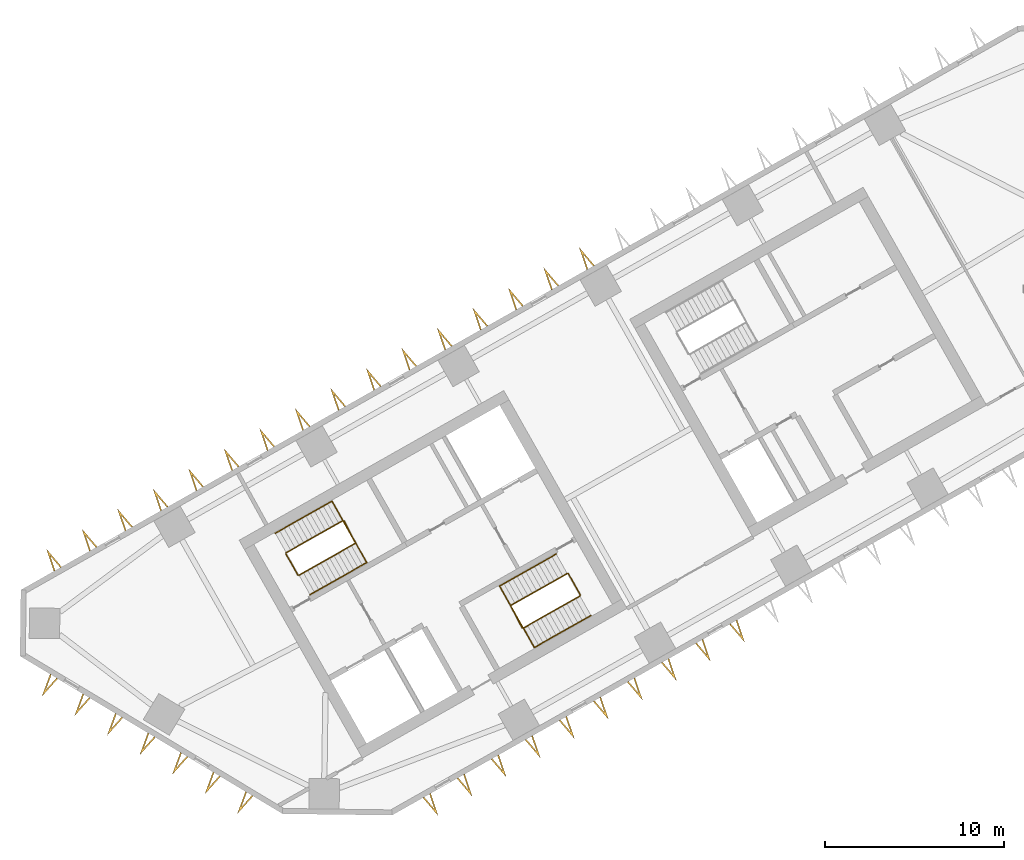
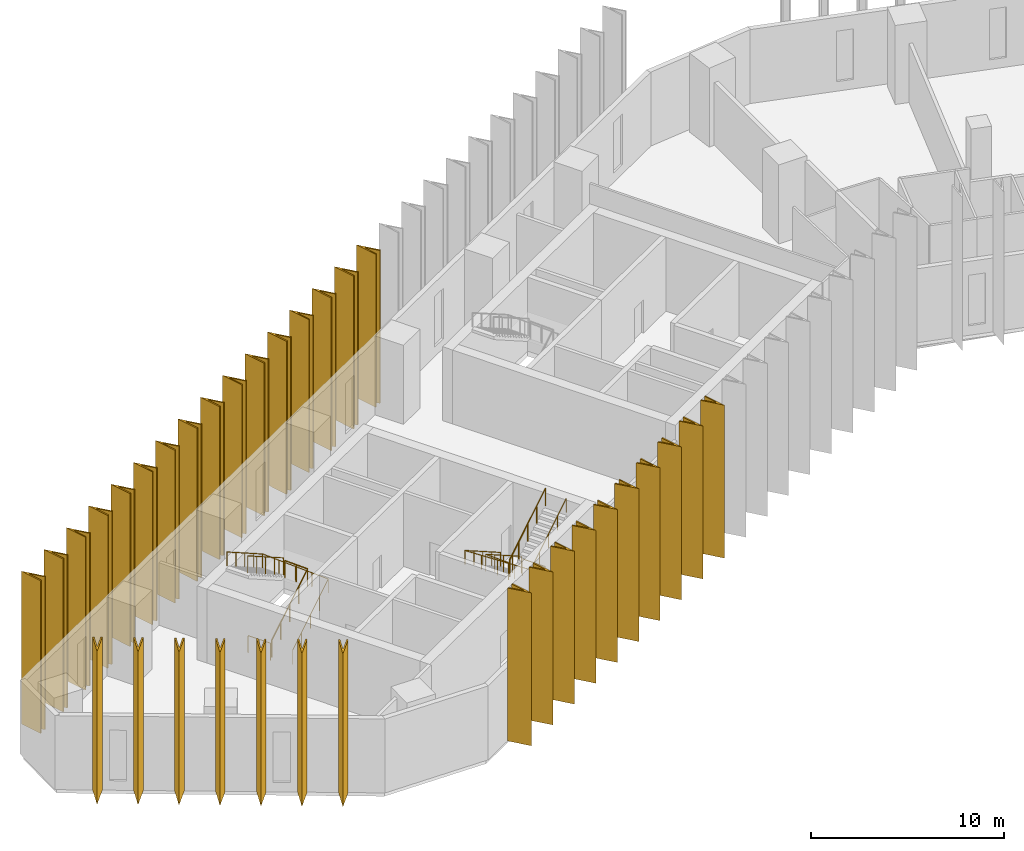
# One storey, part 9 of 11: 33 shading devices, 8 railings.
"""IFC4 building model written with IfcOpenShell, lengths in metres."""

import ifcopenshell
import ifcopenshell.guid

model = None  # the IFC model being written
_history = None  # IfcOwnerHistory: only IFC2X3 demands one
_inside = {}  # id of a spatial element -> (the spatial element, [elements in it])
_under = {}  # id of a project, library or spatial element -> (it, [spatial elements below it])
_declared = {}  # id of a project -> (the project, [libraries it declares])
_typed = {}  # id of a type object -> (the type object, [elements of that type])
_made_of = {}  # id of a material, layer set ... -> (it, [elements and type objects made of it])


def new_model(schema):
    """Start an empty IFC model of exactly this schema.

    Asked for "IFC4X3", IfcOpenShell would pick the latest addendum, in which some entities
    have other attributes; the version numbers below select the first issue.
    IFC2X3 requires an IfcOwnerHistory on every rooted entity: one is made here for all.
    """
    global model, _history
    if schema == "IFC4X3":
        model = ifcopenshell.file(schema_version=(4, 3, 0, 0))
    else:
        model = ifcopenshell.file(schema=schema)
    _inside.clear()
    _under.clear()
    _declared.clear()
    _typed.clear()
    _made_of.clear()
    _history = None
    if model.schema == "IFC2X3":
        org = make("IfcOrganization", Name="unknown")
        user = make(
            "IfcPersonAndOrganization",
            ThePerson=make("IfcPerson", FamilyName="unknown"),
            TheOrganization=org,
        )
        app = make(
            "IfcApplication",
            ApplicationDeveloper=org,
            Version="unknown",
            ApplicationFullName="unknown",
            ApplicationIdentifier="unknown",
        )
        _history = make(
            "IfcOwnerHistory",
            OwningUser=user,
            OwningApplication=app,
            ChangeAction="ADDED",
            CreationDate=0,
        )
    return model


def make(cls, **values):
    """One entity of the class cls with the attributes given. An attribute that is None is left unset."""
    return model.create_entity(
        cls, **{name: value for name, value in values.items() if value is not None}
    )


def rooted(cls, **values):
    """An entity with a GlobalId (a new one), such as an element, a storey or a relation."""
    return make(cls, GlobalId=ifcopenshell.guid.new(), OwnerHistory=_history, **values)


def si_unit(unit_type, name, prefix=None):
    """IfcSIUnit, for example si_unit("LENGTHUNIT", "METRE", prefix="MILLI")."""
    return make("IfcSIUnit", UnitType=unit_type, Prefix=prefix, Name=name)


def assignment(units):
    """IfcUnitAssignment: the units of a project."""
    return None if units is None else make("IfcUnitAssignment", Units=units)


def point(xyz):
    """IfcCartesianPoint."""
    return None if xyz is None else make("IfcCartesianPoint", Coordinates=xyz)


def direction(xyz):
    """IfcDirection."""
    return None if xyz is None else make("IfcDirection", DirectionRatios=xyz)


def frame(location, z_axis=None, x_axis=None):
    """IfcAxis2Placement3D, a coordinate frame: its origin and axes. An axis left out is left unset."""
    return make(
        "IfcAxis2Placement3D",
        Location=point(location),
        Axis=direction(z_axis),
        RefDirection=direction(x_axis),
    )


def frame_2d(location, x_axis=None):
    """IfcAxis2Placement2D, a coordinate frame in the plane: its origin and x axis."""
    return make(
        "IfcAxis2Placement2D", Location=point(location), RefDirection=direction(x_axis)
    )


def origin():
    """The frame at (0, 0, 0) with its axes left unset."""
    return frame((0.0, 0.0, 0.0))


def origin_2d():
    """The frame at (0, 0) in the plane with its x axis left unset."""
    return frame_2d((0.0, 0.0))


def place(relative_to, where):
    """IfcLocalPlacement: puts the frame where relative to a parent placement (None: the world)."""
    return make(
        "IfcLocalPlacement", PlacementRelTo=relative_to, RelativePlacement=where
    )


def context(
    kind, dimensions, precision=None, world=None, true_north=None, identifier=None
):
    """IfcGeometricRepresentationContext, for example the 3D "Model" context."""
    return make(
        "IfcGeometricRepresentationContext",
        ContextIdentifier=identifier,
        ContextType=kind,
        CoordinateSpaceDimension=dimensions,
        Precision=precision,
        WorldCoordinateSystem=world,
        TrueNorth=true_north,
    )


def subcontext(parent, identifier, kind, view, scale=None):
    """IfcGeometricRepresentationSubContext, for example "Body" below "Model"."""
    return make(
        "IfcGeometricRepresentationSubContext",
        ContextIdentifier=identifier,
        ContextType=kind,
        ParentContext=parent,
        TargetScale=scale,
        TargetView=view,
    )


def project(units=None, contexts=None):
    """IfcProject with its units and contexts."""
    return rooted(
        "IfcProject",
        Name="project",
        RepresentationContexts=contexts,
        UnitsInContext=assignment(units),
    )


def spatial(cls, under=None, at=None, **own):
    """A site, building, storey or space (cls), placed at a placement, below another one or the project."""
    s = rooted(cls, ObjectPlacement=at, **own)
    if under is not None:
        _under.setdefault(under.id(), (under, []))[1].append(s)
    return s


def polyline(points):
    """IfcPolyline through the points."""
    return make("IfcPolyline", Points=[point(p) for p in points])


def profile(cls, at=None, kind="AREA", **sizes):
    """A parametric profile (cls). Its sizes go by their IFC names, for example OverallWidth=200.0."""
    return make(cls, ProfileType=kind, Position=at, **sizes)


def circle(**sizes):
    """IfcCircleProfileDef."""
    return profile("IfcCircleProfileDef", **sizes)


def outline(outer, holes=None, kind="AREA"):
    """IfcArbitraryClosedProfileDef: a profile drawn as a closed curve; with holes, ...WithVoids."""
    if holes is None:
        return make("IfcArbitraryClosedProfileDef", ProfileType=kind, OuterCurve=outer)
    return make(
        "IfcArbitraryProfileDefWithVoids",
        ProfileType=kind,
        OuterCurve=outer,
        InnerCurves=holes,
    )


def extrude(swept, where, along, depth):
    """IfcExtrudedAreaSolid: the profile swept, set in the frame where, extruded along a direction by depth."""
    return make(
        "IfcExtrudedAreaSolid",
        SweptArea=swept,
        Position=where,
        ExtrudedDirection=direction(along),
        Depth=depth,
    )


def shape(context_of_items, identifier, shape_type, items):
    """IfcShapeRepresentation: the items that make up one representation, for example the "Body"."""
    return make(
        "IfcShapeRepresentation",
        ContextOfItems=context_of_items,
        RepresentationIdentifier=identifier,
        RepresentationType=shape_type,
        Items=items,
    )


def material(Name=None, Category=None):
    """IfcMaterial."""
    return make("IfcMaterial", Name=Name, Category=Category)


def made_of(thing, what):
    """Note that an element or type object is made of a material, layer set ...; save() writes the relation."""
    if what is not None:
        _made_of.setdefault(what.id(), (what, []))[1].append(thing)
    return thing


def type_object(cls, material=None, **own):
    """A type object (cls), such as IfcWallType, which elements share."""
    return made_of(rooted(cls, **own), material)


def element(
    cls,
    number,
    at=None,
    inside=None,
    cuts=None,
    type_object=None,
    material=None,
    context=None,
    identifier="Body",
    shape_type=None,
    held_by="IfcProductDefinitionShape",
    body=None,
    shapes=None,
    **own,
):
    """One element of the class cls, such as IfcWall. Its Tag is "e" and its number.

    at: its placement. inside: the storey or other place that contains it. cuts: it is an
    opening in that element (IfcRelVoidsElement). A single representation is given by context,
    identifier, shape_type and body (its items); several are given by shapes. held_by: the class
    of the entity that holds the representations. save() writes the other relations.
    """
    e = rooted(cls, Tag="e%d" % number, ObjectPlacement=at, **own)
    if body is not None:
        shapes = [shape(context, identifier, shape_type, body)]
    if shapes is not None:
        e.Representation = make(held_by, Representations=shapes)
    if inside is not None:
        _inside.setdefault(inside.id(), (inside, []))[1].append(e)
    if cuts is not None:
        rooted(
            "IfcRelVoidsElement", RelatingBuildingElement=cuts, RelatedOpeningElement=e
        )
    if type_object is not None:
        _typed.setdefault(type_object.id(), (type_object, []))[1].append(e)
    return made_of(e, material)


def aggregate(whole, parts):
    """IfcRelAggregates: a whole, such as a stair, and the parts it consists of."""
    return rooted("IfcRelAggregates", RelatingObject=whole, RelatedObjects=parts)


def save(model, path):
    """Write the relations noted so far, then the file.

    IfcRelAggregates (storeys below a building ...), IfcRelContainedInSpatialStructure (elements
    in a storey), IfcRelDefinesByType, IfcRelAssociatesMaterial and IfcRelDeclares: one each for
    every whole, place, type object, material and project.
    """
    for whole, parts in _under.values():
        aggregate(whole, parts)
    for where, things in _inside.values():
        rooted(
            "IfcRelContainedInSpatialStructure",
            RelatedElements=things,
            RelatingStructure=where,
        )
    for kind, things in _typed.values():
        rooted("IfcRelDefinesByType", RelatedObjects=things, RelatingType=kind)
    for what, things in _made_of.values():
        rooted("IfcRelAssociatesMaterial", RelatedObjects=things, RelatingMaterial=what)
    for by, libraries in _declared.values():
        rooted("IfcRelDeclares", RelatingContext=by, RelatedDefinitions=libraries)
    model.write(path)


model = new_model("IFC4")

# Units and contexts
model_context = context("Model", 3, precision=1e-05, world=origin(), true_north=direction((0.0, 1.0)))
body_context = subcontext(model_context, "Body", "Model", "MODEL_VIEW")
ifc_project = project(units=[si_unit("LENGTHUNIT", "METRE"), si_unit("AREAUNIT", "SQUARE_METRE"), si_unit("VOLUMEUNIT", "CUBIC_METRE"), si_unit("PLANEANGLEUNIT", "RADIAN"), si_unit("MASSUNIT", "GRAM", prefix="KILO")], contexts=[model_context])

# Site, building, storey
site_placement = place(None, origin())
site = spatial("IfcSite", under=ifc_project, at=site_placement, CompositionType="ELEMENT")
building_placement = place(site_placement, origin())
building = spatial("IfcBuilding", under=site, at=building_placement, Name="Binnacle Exchange Tower", CompositionType="ELEMENT")
storey_placement = place(building_placement, frame((0.0, 0.0, 46.5)))
storey = spatial("IfcBuildingStorey", under=building, at=storey_placement, Name="L09", CompositionType="ELEMENT", Elevation=46.5)

# Railings
ifc_material_1 = material(Name="Steel guard rail", Category="steel")
railing_type_1 = type_object("IfcRailingType", Name="STAIR GUARD 1100", PredefinedType="GUARDRAIL", material=ifc_material_1)
railing_1_placement = place(storey_placement, frame((-43.26171875, 39.71728515625, 0.178466796875)))
element("IfcRailing", 1, at=railing_1_placement, inside=storey, type_object=railing_type_1, Name="L09 STA1 stair guard 1", PredefinedType="GUARDRAIL", context=body_context, shape_type="SweptSolid", body=[
    extrude(circle(Radius=0.02392578125, at=origin_2d()), frame((0.0, 0.0, 1.076171875), z_axis=(0.733795554141, 0.415191658331, 0.537735968274), x_axis=(-0.492450612189, 0.870340390052, 0.0)), (0.0, 0.0, 1.0), 4.317138671875),
    extrude(circle(Radius=0.02392578125, at=origin_2d()), frame((3.16796875, 1.79248046875, 3.3974609375), z_axis=(-0.460963092712, 0.887419307406, 0.0), x_axis=(-0.887419307406, -0.460963092712, 0.0)), (0.0, 0.0, 1.0), 1.40087890625),
    extrude(circle(Radius=0.02099609375, at=origin_2d()), origin(), (0.0, 0.0, 1.0), 1.052001953125),
    extrude(circle(Radius=0.02099609375, at=origin_2d()), frame((0.7919921875, 0.4482421875, 0.580322265625)), (0.0, 0.0, 1.0), 1.052001953125),
    extrude(circle(Radius=0.02099609375, at=origin_2d()), frame((1.583984375, 0.896240234375, 1.16064453125)), (0.0, 0.0, 1.0), 1.052001953125),
    extrude(circle(Radius=0.02099609375, at=origin_2d()), frame((2.3759765625, 1.34423828125, 1.7412109375)), (0.0, 0.0, 1.0), 1.052001953125),
    extrude(circle(Radius=0.02099609375, at=origin_2d()), frame((3.16796875, 1.79248046875, 2.321533203125)), (0.0, 0.0, 1.0), 1.052001953125),
    extrude(circle(Radius=0.02099609375, at=origin_2d()), frame((2.84521484375, 2.4140625, 2.321533203125)), (0.0, 0.0, 1.0), 1.052001953125),
    extrude(circle(Radius=0.02099609375, at=origin_2d()), frame((2.522216796875, 3.03564453125, 2.321533203125)), (0.0, 0.0, 1.0), 1.052001953125),
])
railing_2_placement = place(storey_placement, frame((-40.8076171875, 42.771728515625, 2.678466796875)))
element("IfcRailing", 2, at=railing_2_placement, inside=storey, type_object=railing_type_1, Name="L09 STA1 stair guard 2", PredefinedType="GUARDRAIL", context=body_context, shape_type="SweptSolid", body=[
    extrude(circle(Radius=0.02392578125, at=origin_2d()), frame((0.0, 0.0, 1.076171875), z_axis=(-0.733821652932, -0.415174429824, 0.537713654753), x_axis=(0.492421866095, -0.870356654361, 0.0)), (0.0, 0.0, 1.0), 4.3173828125),
    extrude(circle(Radius=0.02099609375, at=origin_2d()), origin(), (0.0, 0.0, 1.0), 1.052001953125),
    extrude(circle(Radius=0.02099609375, at=origin_2d()), frame((-0.7919921875, -0.4482421875, 0.580322265625)), (0.0, 0.0, 1.0), 1.052001953125),
    extrude(circle(Radius=0.02099609375, at=origin_2d()), frame((-1.583984375, -0.896240234375, 1.16064453125)), (0.0, 0.0, 1.0), 1.052001953125),
    extrude(circle(Radius=0.02099609375, at=origin_2d()), frame((-2.376220703125, -1.34423828125, 1.7412109375)), (0.0, 0.0, 1.0), 1.052001953125),
    extrude(circle(Radius=0.02099609375, at=origin_2d()), frame((-3.168212890625, -1.79248046875, 2.321533203125)), (0.0, 0.0, 1.0), 1.052001953125),
])
railing_3_placement = place(storey_placement, frame((-43.329833984375, 39.736328125, 0.0)))
element("IfcRailing", 3, at=railing_3_placement, inside=storey, type_object=railing_type_1, Name="L09 STA1 stair guard 3", PredefinedType="GUARDRAIL", context=body_context, shape_type="SweptSolid", body=[
    extrude(circle(Radius=0.02392578125, at=origin_2d()), frame((0.0, 0.0, 1.076171875), z_axis=(-0.4924922531, 0.870316827734, 0.0), x_axis=(-0.870316827734, -0.4924922531, 0.0)), (0.0, 0.0, 1.0), 1.349853515625),
    extrude(circle(Radius=0.02099609375, at=origin_2d()), origin(), (0.0, 0.0, 1.0), 1.052001953125),
    extrude(circle(Radius=0.02099609375, at=origin_2d()), frame((-0.33251953125, 0.58740234375, 0.0)), (0.0, 0.0, 1.0), 1.052001953125),
    extrude(circle(Radius=0.02099609375, at=origin_2d()), frame((-0.664794921875, 1.1748046875, 0.0)), (0.0, 0.0, 1.0), 1.052001953125),
])
railing_4_placement = place(storey_placement, frame((-28.265380859375, 39.814453125, 0.178466796875)))
element("IfcRailing", 4, at=railing_4_placement, inside=storey, type_object=railing_type_1, Name="L09 STA2 stair guard 1", PredefinedType="GUARDRAIL", context=body_context, shape_type="SweptSolid", body=[
    extrude(circle(Radius=0.02392578125, at=origin_2d()), frame((0.0, 0.0, 1.076171875), z_axis=(-0.733821652932, -0.415174429824, 0.537713654753), x_axis=(0.492421866095, -0.870356654361, 0.0)), (0.0, 0.0, 1.0), 4.3173828125),
    extrude(circle(Radius=0.02392578125, at=origin_2d()), frame((-3.168212890625, -1.79248046875, 3.3974609375), z_axis=(0.461100321709, -0.887348011391, 0.0), x_axis=(0.887348011391, 0.461100321709, 0.0)), (0.0, 0.0, 1.0), 1.40087890625),
    extrude(circle(Radius=0.02099609375, at=origin_2d()), origin(), (0.0, 0.0, 1.0), 1.052001953125),
    extrude(circle(Radius=0.02099609375, at=origin_2d()), frame((-0.7919921875, -0.4482421875, 0.580322265625)), (0.0, 0.0, 1.0), 1.052001953125),
    extrude(circle(Radius=0.02099609375, at=origin_2d()), frame((-1.583984375, -0.896240234375, 1.16064453125)), (0.0, 0.0, 1.0), 1.052001953125),
    extrude(circle(Radius=0.02099609375, at=origin_2d()), frame((-2.376220703125, -1.34423828125, 1.7412109375)), (0.0, 0.0, 1.0), 1.052001953125),
    extrude(circle(Radius=0.02099609375, at=origin_2d()), frame((-3.168212890625, -1.79248046875, 2.321533203125)), (0.0, 0.0, 1.0), 1.052001953125),
    extrude(circle(Radius=0.02099609375, at=origin_2d()), frame((-2.84521484375, -2.4140625, 2.321533203125)), (0.0, 0.0, 1.0), 1.052001953125),
    extrude(circle(Radius=0.02099609375, at=origin_2d()), frame((-2.522216796875, -3.03564453125, 2.321533203125)), (0.0, 0.0, 1.0), 1.052001953125),
])
railing_5_placement = place(storey_placement, frame((-30.719482421875, 36.760009765625, 2.678466796875)))
element("IfcRailing", 5, at=railing_5_placement, inside=storey, type_object=railing_type_1, Name="L09 STA2 stair guard 2", PredefinedType="GUARDRAIL", context=body_context, shape_type="SweptSolid", body=[
    extrude(circle(Radius=0.02392578125, at=origin_2d()), frame((0.0, 0.0, 1.076171875), z_axis=(0.733795554141, 0.415191658331, 0.537735968274), x_axis=(-0.492450612189, 0.870340390052, 0.0)), (0.0, 0.0, 1.0), 4.317138671875),
    extrude(circle(Radius=0.02099609375, at=origin_2d()), origin(), (0.0, 0.0, 1.0), 1.052001953125),
    extrude(circle(Radius=0.02099609375, at=origin_2d()), frame((0.7919921875, 0.4482421875, 0.580322265625)), (0.0, 0.0, 1.0), 1.052001953125),
    extrude(circle(Radius=0.02099609375, at=origin_2d()), frame((1.583984375, 0.896240234375, 1.16064453125)), (0.0, 0.0, 1.0), 1.052001953125),
    extrude(circle(Radius=0.02099609375, at=origin_2d()), frame((2.3759765625, 1.34423828125, 1.7412109375)), (0.0, 0.0, 1.0), 1.052001953125),
    extrude(circle(Radius=0.02099609375, at=origin_2d()), frame((3.16796875, 1.79248046875, 2.321533203125)), (0.0, 0.0, 1.0), 1.052001953125),
])
railing_6_placement = place(storey_placement, frame((-28.197265625, 39.795654296875, 0.0)))
element("IfcRailing", 6, at=railing_6_placement, inside=storey, type_object=railing_type_1, Name="L09 STA2 stair guard 3", PredefinedType="GUARDRAIL", context=body_context, shape_type="SweptSolid", body=[
    extrude(circle(Radius=0.02392578125, at=origin_2d()), frame((0.0, 0.0, 1.076171875), z_axis=(0.49241474071, -0.870360685654, 0.0), x_axis=(0.870360685654, 0.49241474071, 0.0)), (0.0, 0.0, 1.0), 1.35009765625),
    extrude(circle(Radius=0.02099609375, at=origin_2d()), origin(), (0.0, 0.0, 1.0), 1.052001953125),
    extrude(circle(Radius=0.02099609375, at=origin_2d()), frame((0.33251953125, -0.58740234375, 0.0)), (0.0, 0.0, 1.0), 1.052001953125),
    extrude(circle(Radius=0.02099609375, at=origin_2d()), frame((0.664794921875, -1.175048828125, 0.0)), (0.0, 0.0, 1.0), 1.052001953125),
])
ifc_material_2 = material(Name="Steel handrail", Category="steel")
railing_type_2 = type_object("IfcRailingType", Name="STAIR HANDRAIL 900", PredefinedType="HANDRAIL", material=ifc_material_2)
railing_7_placement = place(storey_placement, frame((-42.646240234375, 38.62939453125, 0.178466796875)))
element("IfcRailing", 7, at=railing_7_placement, inside=storey, type_object=railing_type_2, Name="L09 STA1 stair handrail 1", PredefinedType="HANDRAIL", context=body_context, shape_type="SweptSolid", body=[
    extrude(circle(Radius=0.02392578125, at=origin_2d()), frame((0.0, 0.0, 0.8759765625), z_axis=(0.733821652932, 0.415174429824, 0.537713654753), x_axis=(-0.492421866095, 0.870356654361, 0.0)), (0.0, 0.0, 1.0), 4.3173828125),
    extrude(circle(Radius=0.02392578125, at=origin_2d()), frame((3.168212890625, 1.79248046875, 3.197265625), z_axis=(-0.491985021148, 0.869432866815, 0.045135674003), x_axis=(-0.870319839224, -0.492486931251, 0.0)), (0.0, 0.0, 1.0), 3.9541015625),
    extrude(circle(Radius=0.02392578125, at=origin_2d()), frame((1.222900390625, 5.230224609375, 3.3759765625), z_axis=(-0.733812782489, -0.415144854829, 0.537748593457), x_axis=(0.492399802317, -0.870369137021, 0.0)), (0.0, 0.0, 1.0), 4.317138671875),
    extrude(circle(Radius=0.02099609375, at=origin_2d()), origin(), (0.0, 0.0, 1.0), 0.851806640625),
    extrude(circle(Radius=0.02099609375, at=origin_2d()), frame((0.7919921875, 0.4482421875, 0.580322265625)), (0.0, 0.0, 1.0), 0.851806640625),
    extrude(circle(Radius=0.02099609375, at=origin_2d()), frame((1.583984375, 0.896240234375, 1.16064453125)), (0.0, 0.0, 1.0), 0.851806640625),
    extrude(circle(Radius=0.02099609375, at=origin_2d()), frame((2.376220703125, 1.34423828125, 1.7412109375)), (0.0, 0.0, 1.0), 0.851806640625),
    extrude(circle(Radius=0.02099609375, at=origin_2d()), frame((3.168212890625, 1.79248046875, 2.321533203125)), (0.0, 0.0, 1.0), 0.851806640625),
    extrude(circle(Radius=0.02099609375, at=origin_2d()), frame((2.681884765625, 2.65185546875, 2.3662109375)), (0.0, 0.0, 1.0), 0.851806640625),
    extrude(circle(Radius=0.02099609375, at=origin_2d()), frame((2.195556640625, 3.51123046875, 2.41064453125)), (0.0, 0.0, 1.0), 0.851806640625),
    extrude(circle(Radius=0.02099609375, at=origin_2d()), frame((1.709228515625, 4.370849609375, 2.455322265625)), (0.0, 0.0, 1.0), 0.851806640625),
    extrude(circle(Radius=0.02099609375, at=origin_2d()), frame((1.222900390625, 5.230224609375, 2.5)), (0.0, 0.0, 1.0), 0.851806640625),
    extrude(circle(Radius=0.02099609375, at=origin_2d()), frame((0.430908203125, 4.7822265625, 3.080322265625)), (0.0, 0.0, 1.0), 0.851806640625),
    extrude(circle(Radius=0.02099609375, at=origin_2d()), frame((-0.361083984375, 4.333984375, 3.66064453125)), (0.0, 0.0, 1.0), 0.851806640625),
    extrude(circle(Radius=0.02099609375, at=origin_2d()), frame((-1.153076171875, 3.885986328125, 4.2412109375)), (0.0, 0.0, 1.0), 0.851806640625),
    extrude(circle(Radius=0.02099609375, at=origin_2d()), frame((-1.945068359375, 3.43798828125, 4.821533203125)), (0.0, 0.0, 1.0), 0.851806640625),
])
railing_8_placement = place(storey_placement, frame((-28.880859375, 40.90234375, 0.178466796875)))
element("IfcRailing", 8, at=railing_8_placement, inside=storey, type_object=railing_type_2, Name="L09 STA2 stair handrail 1", PredefinedType="HANDRAIL", context=body_context, shape_type="SweptSolid", body=[
    extrude(circle(Radius=0.02392578125, at=origin_2d()), frame((0.0, 0.0, 0.8759765625), z_axis=(-0.733838880464, -0.415127627455, 0.537726278364), x_axis=(0.492371057291, -0.870385398511, 0.0)), (0.0, 0.0, 1.0), 4.3173828125),
    extrude(circle(Radius=0.02392578125, at=origin_2d()), frame((-3.168212890625, -1.792236328125, 3.197265625), z_axis=(0.491911810019, -0.86947434526, 0.045134621956), x_axis=(0.870361318571, 0.492413622004, 0.0)), (0.0, 0.0, 1.0), 3.9541015625),
    extrude(circle(Radius=0.02392578125, at=origin_2d()), frame((-1.22314453125, -5.230224609375, 3.3759765625), z_axis=(0.733821652932, 0.415174429824, 0.537713654753), x_axis=(-0.492421866095, 0.870356654361, 0.0)), (0.0, 0.0, 1.0), 4.3173828125),
    extrude(circle(Radius=0.02099609375, at=origin_2d()), origin(), (0.0, 0.0, 1.0), 0.851806640625),
    extrude(circle(Radius=0.02099609375, at=origin_2d()), frame((-0.7919921875, -0.447998046875, 0.580322265625)), (0.0, 0.0, 1.0), 0.851806640625),
    extrude(circle(Radius=0.02099609375, at=origin_2d()), frame((-1.583984375, -0.89599609375, 1.16064453125)), (0.0, 0.0, 1.0), 0.851806640625),
    extrude(circle(Radius=0.02099609375, at=origin_2d()), frame((-2.376220703125, -1.34423828125, 1.7412109375)), (0.0, 0.0, 1.0), 0.851806640625),
    extrude(circle(Radius=0.02099609375, at=origin_2d()), frame((-3.168212890625, -1.792236328125, 2.321533203125)), (0.0, 0.0, 1.0), 0.851806640625),
    extrude(circle(Radius=0.02099609375, at=origin_2d()), frame((-2.681884765625, -2.65185546875, 2.3662109375)), (0.0, 0.0, 1.0), 0.851806640625),
    extrude(circle(Radius=0.02099609375, at=origin_2d()), frame((-2.19580078125, -3.51123046875, 2.41064453125)), (0.0, 0.0, 1.0), 0.851806640625),
    extrude(circle(Radius=0.02099609375, at=origin_2d()), frame((-1.70947265625, -4.37060546875, 2.455322265625)), (0.0, 0.0, 1.0), 0.851806640625),
    extrude(circle(Radius=0.02099609375, at=origin_2d()), frame((-1.22314453125, -5.230224609375, 2.5)), (0.0, 0.0, 1.0), 0.851806640625),
    extrude(circle(Radius=0.02099609375, at=origin_2d()), frame((-0.43115234375, -4.7822265625, 3.080322265625)), (0.0, 0.0, 1.0), 0.851806640625),
    extrude(circle(Radius=0.02099609375, at=origin_2d()), frame((0.36083984375, -4.333984375, 3.66064453125)), (0.0, 0.0, 1.0), 0.851806640625),
    extrude(circle(Radius=0.02099609375, at=origin_2d()), frame((1.153076171875, -3.8857421875, 4.2412109375)), (0.0, 0.0, 1.0), 0.851806640625),
    extrude(circle(Radius=0.02099609375, at=origin_2d()), frame((1.945068359375, -3.437744140625, 4.821533203125)), (0.0, 0.0, 1.0), 0.851806640625),
])

# Shading devices
ifc_material_3 = material(Name="Bronze aluminium cladding", Category="aluminium")
shading_device_type = type_object("IfcShadingDeviceType", Name="V FIN 1300 DEEP x 9680 HIGH", PredefinedType="USERDEFINED", material=ifc_material_3)
shading_device_1_placement = place(storey_placement, origin())
element("IfcShadingDevice", 9, at=shading_device_1_placement, inside=storey, type_object=shading_device_type, Name="V fin FN-F03-12 L09", ObjectType="FIN", PredefinedType="USERDEFINED", context=body_context, shape_type="SweptSolid", body=[
    extrude(outline(polyline([(-26.7412109375, 57.04296875), (-27.59912109375, 58.05126953125), (-27.176513671875, 56.796630859375), (-27.10546875, 56.8369140625), (-27.390380859375, 57.6826171875), (-26.81201171875, 57.002685546875), (-26.7412109375, 57.04296875)])), origin(), (0.0, 0.0, 1.0), 9.679931640625),
])
shading_device_2_placement = place(storey_placement, origin())
element("IfcShadingDevice", 10, at=shading_device_2_placement, inside=storey, type_object=shading_device_type, Name="V fin FN-F03-13 L09", ObjectType="FIN", PredefinedType="USERDEFINED", context=body_context, shape_type="SweptSolid", body=[
    extrude(outline(polyline([(-28.727783203125, 55.9189453125), (-29.58544921875, 56.92724609375), (-29.162841796875, 55.672607421875), (-29.092041015625, 55.712890625), (-29.376708984375, 56.55859375), (-28.798583984375, 55.87890625), (-28.727783203125, 55.9189453125)])), origin(), (0.0, 0.0, 1.0), 9.679931640625),
])
shading_device_3_placement = place(storey_placement, origin())
element("IfcShadingDevice", 11, at=shading_device_3_placement, inside=storey, type_object=shading_device_type, Name="V fin FN-F03-14 L09", ObjectType="FIN", PredefinedType="USERDEFINED", context=body_context, shape_type="SweptSolid", body=[
    extrude(outline(polyline([(-30.71435546875, 54.794921875), (-31.572021484375, 55.803466796875), (-31.1494140625, 54.548828125), (-31.07861328125, 54.5888671875), (-31.36328125, 55.434814453125), (-30.78515625, 54.7548828125), (-30.71435546875, 54.794921875)])), origin(), (0.0, 0.0, 1.0), 9.679931640625),
])
shading_device_4_placement = place(storey_placement, origin())
element("IfcShadingDevice", 12, at=shading_device_4_placement, inside=storey, type_object=shading_device_type, Name="V fin FN-F03-15 L09", ObjectType="FIN", PredefinedType="USERDEFINED", context=body_context, shape_type="SweptSolid", body=[
    extrude(outline(polyline([(-32.70068359375, 53.6708984375), (-33.55859375, 54.679443359375), (-33.135986328125, 53.4248046875), (-33.065185546875, 53.46484375), (-33.349853515625, 54.310791015625), (-32.771728515625, 53.630859375), (-32.70068359375, 53.6708984375)])), origin(), (0.0, 0.0, 1.0), 9.679931640625),
])
shading_device_5_placement = place(storey_placement, origin())
element("IfcShadingDevice", 13, at=shading_device_5_placement, inside=storey, type_object=shading_device_type, Name="V fin FN-F03-16 L09", ObjectType="FIN", PredefinedType="USERDEFINED", context=body_context, shape_type="SweptSolid", body=[
    extrude(outline(polyline([(-34.687255859375, 52.547119140625), (-35.545166015625, 53.555419921875), (-35.12255859375, 52.30078125), (-35.051513671875, 52.341064453125), (-35.33642578125, 53.186767578125), (-34.75830078125, 52.507080078125), (-34.687255859375, 52.547119140625)])), origin(), (0.0, 0.0, 1.0), 9.679931640625),
])
shading_device_6_placement = place(storey_placement, origin())
element("IfcShadingDevice", 14, at=shading_device_6_placement, inside=storey, type_object=shading_device_type, Name="V fin FN-F03-17 L09", ObjectType="FIN", PredefinedType="USERDEFINED", context=body_context, shape_type="SweptSolid", body=[
    extrude(outline(polyline([(-36.673828125, 51.423095703125), (-37.53173828125, 52.431640625), (-37.109130859375, 51.177001953125), (-37.0380859375, 51.217041015625), (-37.322998046875, 52.06298828125), (-36.744873046875, 51.383056640625), (-36.673828125, 51.423095703125)])), origin(), (0.0, 0.0, 1.0), 9.679931640625),
])
shading_device_7_placement = place(storey_placement, origin())
element("IfcShadingDevice", 15, at=shading_device_7_placement, inside=storey, type_object=shading_device_type, Name="V fin FN-F03-18 L09", ObjectType="FIN", PredefinedType="USERDEFINED", context=body_context, shape_type="SweptSolid", body=[
    extrude(outline(polyline([(-38.660400390625, 50.29931640625), (-39.518310546875, 51.3076171875), (-39.095703125, 50.052978515625), (-39.02490234375, 50.093017578125), (-39.3095703125, 50.93896484375), (-38.7314453125, 50.259033203125), (-38.660400390625, 50.29931640625)])), origin(), (0.0, 0.0, 1.0), 9.679931640625),
])
shading_device_8_placement = place(storey_placement, origin())
element("IfcShadingDevice", 16, at=shading_device_8_placement, inside=storey, type_object=shading_device_type, Name="V fin FN-F03-19 L09", ObjectType="FIN", PredefinedType="USERDEFINED", context=body_context, shape_type="SweptSolid", body=[
    extrude(outline(polyline([(-40.64697265625, 49.17529296875), (-41.5048828125, 50.18359375), (-41.082275390625, 48.92919921875), (-41.01123046875, 48.96923828125), (-41.296142578125, 49.81494140625), (-40.718017578125, 49.13525390625), (-40.64697265625, 49.17529296875)])), origin(), (0.0, 0.0, 1.0), 9.679931640625),
])
shading_device_9_placement = place(storey_placement, origin())
element("IfcShadingDevice", 17, at=shading_device_9_placement, inside=storey, type_object=shading_device_type, Name="V fin FN-F03-20 L09", ObjectType="FIN", PredefinedType="USERDEFINED", context=body_context, shape_type="SweptSolid", body=[
    extrude(outline(polyline([(-42.633544921875, 48.05126953125), (-43.491455078125, 49.059814453125), (-43.06884765625, 47.80517578125), (-42.997802734375, 47.84521484375), (-43.28271484375, 48.69091796875), (-42.70458984375, 48.01123046875), (-42.633544921875, 48.05126953125)])), origin(), (0.0, 0.0, 1.0), 9.679931640625),
])
shading_device_10_placement = place(storey_placement, origin())
element("IfcShadingDevice", 18, at=shading_device_10_placement, inside=storey, type_object=shading_device_type, Name="V fin FN-F03-21 L09", ObjectType="FIN", PredefinedType="USERDEFINED", context=body_context, shape_type="SweptSolid", body=[
    extrude(outline(polyline([(-44.6201171875, 46.927490234375), (-45.47802734375, 47.935791015625), (-45.055419921875, 46.68115234375), (-44.984619140625, 46.72119140625), (-45.269287109375, 47.567138671875), (-44.691162109375, 46.88720703125), (-44.6201171875, 46.927490234375)])), origin(), (0.0, 0.0, 1.0), 9.679931640625),
])
shading_device_11_placement = place(storey_placement, origin())
element("IfcShadingDevice", 19, at=shading_device_11_placement, inside=storey, type_object=shading_device_type, Name="V fin FN-F03-22 L09", ObjectType="FIN", PredefinedType="USERDEFINED", context=body_context, shape_type="SweptSolid", body=[
    extrude(outline(polyline([(-46.606689453125, 45.803466796875), (-47.464599609375, 46.81201171875), (-47.0419921875, 45.557373046875), (-46.970947265625, 45.597412109375), (-47.255859375, 46.443115234375), (-46.677490234375, 45.763427734375), (-46.606689453125, 45.803466796875)])), origin(), (0.0, 0.0, 1.0), 9.679931640625),
])
shading_device_12_placement = place(storey_placement, origin())
element("IfcShadingDevice", 20, at=shading_device_12_placement, inside=storey, type_object=shading_device_type, Name="V fin FN-F03-23 L09", ObjectType="FIN", PredefinedType="USERDEFINED", context=body_context, shape_type="SweptSolid", body=[
    extrude(outline(polyline([(-48.59326171875, 44.679443359375), (-49.451171875, 45.68798828125), (-49.028564453125, 44.433349609375), (-48.95751953125, 44.473388671875), (-49.242431640625, 45.319091796875), (-48.664306640625, 44.639404296875), (-48.59326171875, 44.679443359375)])), origin(), (0.0, 0.0, 1.0), 9.679931640625),
])
shading_device_13_placement = place(storey_placement, origin())
element("IfcShadingDevice", 21, at=shading_device_13_placement, inside=storey, type_object=shading_device_type, Name="V fin FN-F03-24 L09", ObjectType="FIN", PredefinedType="USERDEFINED", context=body_context, shape_type="SweptSolid", body=[
    extrude(outline(polyline([(-50.579833984375, 43.5556640625), (-51.4375, 44.56396484375), (-51.014892578125, 43.309326171875), (-50.944091796875, 43.349609375), (-51.22900390625, 44.1953125), (-50.650634765625, 43.515380859375), (-50.579833984375, 43.5556640625)])), origin(), (0.0, 0.0, 1.0), 9.679931640625),
])
shading_device_14_placement = place(storey_placement, origin())
element("IfcShadingDevice", 22, at=shading_device_14_placement, inside=storey, type_object=shading_device_type, Name="V fin FN-F03-25 L09", ObjectType="FIN", PredefinedType="USERDEFINED", context=body_context, shape_type="SweptSolid", body=[
    extrude(outline(polyline([(-52.56640625, 42.431640625), (-53.42431640625, 43.440185546875), (-53.001708984375, 42.185546875), (-52.9306640625, 42.2255859375), (-53.215576171875, 43.0712890625), (-52.63720703125, 42.3916015625), (-52.56640625, 42.431640625)])), origin(), (0.0, 0.0, 1.0), 9.679931640625),
])
shading_device_15_placement = place(storey_placement, origin())
element("IfcShadingDevice", 23, at=shading_device_15_placement, inside=storey, type_object=shading_device_type, Name="V fin FN-F03-26 L09", ObjectType="FIN", PredefinedType="USERDEFINED", context=body_context, shape_type="SweptSolid", body=[
    extrude(outline(polyline([(-54.552978515625, 41.3076171875), (-55.410888671875, 42.316162109375), (-54.98828125, 41.0615234375), (-54.917236328125, 41.1015625), (-55.2021484375, 41.947509765625), (-54.623779296875, 41.267578125), (-54.552978515625, 41.3076171875)])), origin(), (0.0, 0.0, 1.0), 9.679931640625),
])
shading_device_16_placement = place(storey_placement, origin())
element("IfcShadingDevice", 24, at=shading_device_16_placement, inside=storey, type_object=shading_device_type, Name="V fin FN-F03-27 L09", ObjectType="FIN", PredefinedType="USERDEFINED", context=body_context, shape_type="SweptSolid", body=[
    extrude(outline(polyline([(-56.53955078125, 40.183837890625), (-57.397216796875, 41.192138671875), (-56.974609375, 39.9375), (-56.90380859375, 39.977783203125), (-57.188720703125, 40.823486328125), (-56.6103515625, 40.143798828125), (-56.53955078125, 40.183837890625)])), origin(), (0.0, 0.0, 1.0), 9.679931640625),
])
shading_device_17_placement = place(storey_placement, origin())
element("IfcShadingDevice", 25, at=shading_device_17_placement, inside=storey, type_object=shading_device_type, Name="V fin FN-F05-01 L09", ObjectType="FIN", PredefinedType="USERDEFINED", context=body_context, shape_type="SweptSolid", body=[
    extrude(outline(polyline([(-57.18603515625, 34.185791015625), (-57.641357421875, 32.94287109375), (-56.757568359375, 33.92822265625), (-56.827392578125, 33.97021484375), (-57.423095703125, 33.305908203125), (-57.1162109375, 34.143798828125), (-57.18603515625, 34.185791015625)])), origin(), (0.0, 0.0, 1.0), 9.679931640625),
])
shading_device_18_placement = place(storey_placement, origin())
element("IfcShadingDevice", 26, at=shading_device_18_placement, inside=storey, type_object=shading_device_type, Name="V fin FN-F05-02 L09", ObjectType="FIN", PredefinedType="USERDEFINED", context=body_context, shape_type="SweptSolid", body=[
    extrude(outline(polyline([(-55.364501953125, 33.09130859375), (-55.81982421875, 31.848388671875), (-54.93603515625, 32.833740234375), (-55.005859375, 32.875732421875), (-55.601806640625, 32.21142578125), (-55.294921875, 33.04931640625), (-55.364501953125, 33.09130859375)])), origin(), (0.0, 0.0, 1.0), 9.679931640625),
])
shading_device_19_placement = place(storey_placement, origin())
element("IfcShadingDevice", 27, at=shading_device_19_placement, inside=storey, type_object=shading_device_type, Name="V fin FN-F05-03 L09", ObjectType="FIN", PredefinedType="USERDEFINED", context=body_context, shape_type="SweptSolid", body=[
    extrude(outline(polyline([(-53.543212890625, 31.9970703125), (-53.998291015625, 30.75390625), (-53.114501953125, 31.739501953125), (-53.184326171875, 31.781494140625), (-53.7802734375, 31.116943359375), (-53.473388671875, 31.955078125), (-53.543212890625, 31.9970703125)])), origin(), (0.0, 0.0, 1.0), 9.679931640625),
])
shading_device_20_placement = place(storey_placement, origin())
element("IfcShadingDevice", 28, at=shading_device_20_placement, inside=storey, type_object=shading_device_type, Name="V fin FN-F05-04 L09", ObjectType="FIN", PredefinedType="USERDEFINED", context=body_context, shape_type="SweptSolid", body=[
    extrude(outline(polyline([(-51.7216796875, 30.902587890625), (-52.1767578125, 29.659423828125), (-51.29296875, 30.64501953125), (-51.36279296875, 30.68701171875), (-51.958740234375, 30.0224609375), (-51.65185546875, 30.860595703125), (-51.7216796875, 30.902587890625)])), origin(), (0.0, 0.0, 1.0), 9.679931640625),
])
shading_device_21_placement = place(storey_placement, origin())
element("IfcShadingDevice", 29, at=shading_device_21_placement, inside=storey, type_object=shading_device_type, Name="V fin FN-F05-05 L09", ObjectType="FIN", PredefinedType="USERDEFINED", context=body_context, shape_type="SweptSolid", body=[
    extrude(outline(polyline([(-49.900146484375, 29.80810546875), (-50.35546875, 28.56494140625), (-49.4716796875, 29.55029296875), (-49.54150390625, 29.59228515625), (-50.13720703125, 28.927978515625), (-49.830322265625, 29.76611328125), (-49.900146484375, 29.80810546875)])), origin(), (0.0, 0.0, 1.0), 9.679931640625),
])
shading_device_22_placement = place(storey_placement, origin())
element("IfcShadingDevice", 30, at=shading_device_22_placement, inside=storey, type_object=shading_device_type, Name="V fin FN-F05-06 L09", ObjectType="FIN", PredefinedType="USERDEFINED", context=body_context, shape_type="SweptSolid", body=[
    extrude(outline(polyline([(-48.07861328125, 28.713623046875), (-48.533935546875, 27.470458984375), (-47.650146484375, 28.4560546875), (-47.719970703125, 28.498046875), (-48.31591796875, 27.83349609375), (-48.0087890625, 28.671630859375), (-48.07861328125, 28.713623046875)])), origin(), (0.0, 0.0, 1.0), 9.679931640625),
])
shading_device_23_placement = place(storey_placement, origin())
element("IfcShadingDevice", 31, at=shading_device_23_placement, inside=storey, type_object=shading_device_type, Name="V fin FN-F05-07 L09", ObjectType="FIN", PredefinedType="USERDEFINED", context=body_context, shape_type="SweptSolid", body=[
    extrude(outline(polyline([(-46.257080078125, 27.619140625), (-46.71240234375, 26.3759765625), (-45.82861328125, 27.361572265625), (-45.8984375, 27.403564453125), (-46.494384765625, 26.739013671875), (-46.1875, 27.5771484375), (-46.257080078125, 27.619140625)])), origin(), (0.0, 0.0, 1.0), 9.679931640625),
])
shading_device_24_placement = place(storey_placement, origin())
element("IfcShadingDevice", 32, at=shading_device_24_placement, inside=storey, type_object=shading_device_type, Name="V fin FN-F07-01 L09", ObjectType="FIN", PredefinedType="USERDEFINED", context=body_context, shape_type="SweptSolid", body=[
    extrude(outline(polyline([(-36.336669921875, 27.269287109375), (-35.47900390625, 26.260986328125), (-35.901611328125, 27.515625), (-35.972412109375, 27.4755859375), (-35.6875, 26.629638671875), (-36.265869140625, 27.3095703125), (-36.336669921875, 27.269287109375)])), origin(), (0.0, 0.0, 1.0), 9.679931640625),
])
shading_device_25_placement = place(storey_placement, origin())
element("IfcShadingDevice", 33, at=shading_device_25_placement, inside=storey, type_object=shading_device_type, Name="V fin FN-F07-02 L09", ObjectType="FIN", PredefinedType="USERDEFINED", context=body_context, shape_type="SweptSolid", body=[
    extrude(outline(polyline([(-34.431640625, 28.34716796875), (-33.573974609375, 27.338623046875), (-33.99658203125, 28.59326171875), (-34.0673828125, 28.55322265625), (-33.78271484375, 27.70751953125), (-34.36083984375, 28.38720703125), (-34.431640625, 28.34716796875)])), origin(), (0.0, 0.0, 1.0), 9.679931640625),
])
shading_device_26_placement = place(storey_placement, origin())
element("IfcShadingDevice", 34, at=shading_device_26_placement, inside=storey, type_object=shading_device_type, Name="V fin FN-F07-03 L09", ObjectType="FIN", PredefinedType="USERDEFINED", context=body_context, shape_type="SweptSolid", body=[
    extrude(outline(polyline([(-32.52685546875, 29.4248046875), (-31.669189453125, 28.41650390625), (-32.091796875, 29.671142578125), (-32.16259765625, 29.631103515625), (-31.877685546875, 28.78515625), (-32.4560546875, 29.465087890625), (-32.52685546875, 29.4248046875)])), origin(), (0.0, 0.0, 1.0), 9.679931640625),
])
shading_device_27_placement = place(storey_placement, origin())
element("IfcShadingDevice", 35, at=shading_device_27_placement, inside=storey, type_object=shading_device_type, Name="V fin FN-F07-04 L09", ObjectType="FIN", PredefinedType="USERDEFINED", context=body_context, shape_type="SweptSolid", body=[
    extrude(outline(polyline([(-30.6220703125, 30.502685546875), (-29.76416015625, 29.494140625), (-30.186767578125, 30.748779296875), (-30.2578125, 30.708740234375), (-29.972900390625, 29.86279296875), (-30.551025390625, 30.542724609375), (-30.6220703125, 30.502685546875)])), origin(), (0.0, 0.0, 1.0), 9.679931640625),
])
shading_device_28_placement = place(storey_placement, origin())
element("IfcShadingDevice", 36, at=shading_device_28_placement, inside=storey, type_object=shading_device_type, Name="V fin FN-F07-05 L09", ObjectType="FIN", PredefinedType="USERDEFINED", context=body_context, shape_type="SweptSolid", body=[
    extrude(outline(polyline([(-28.717041015625, 31.580322265625), (-27.859375, 30.572021484375), (-28.281982421875, 31.826416015625), (-28.352783203125, 31.786376953125), (-28.068115234375, 30.940673828125), (-28.646240234375, 31.620361328125), (-28.717041015625, 31.580322265625)])), origin(), (0.0, 0.0, 1.0), 9.679931640625),
])
shading_device_29_placement = place(storey_placement, origin())
element("IfcShadingDevice", 37, at=shading_device_29_placement, inside=storey, type_object=shading_device_type, Name="V fin FN-F07-06 L09", ObjectType="FIN", PredefinedType="USERDEFINED", context=body_context, shape_type="SweptSolid", body=[
    extrude(outline(polyline([(-26.812255859375, 32.658203125), (-25.954345703125, 31.649658203125), (-26.376953125, 32.904296875), (-26.447998046875, 32.8642578125), (-26.1630859375, 32.018310546875), (-26.7412109375, 32.6982421875), (-26.812255859375, 32.658203125)])), origin(), (0.0, 0.0, 1.0), 9.679931640625),
])
shading_device_30_placement = place(storey_placement, origin())
element("IfcShadingDevice", 38, at=shading_device_30_placement, inside=storey, type_object=shading_device_type, Name="V fin FN-F07-07 L09", ObjectType="FIN", PredefinedType="USERDEFINED", context=body_context, shape_type="SweptSolid", body=[
    extrude(outline(polyline([(-24.9072265625, 33.73583984375), (-24.049560546875, 32.727294921875), (-24.47216796875, 33.98193359375), (-24.54296875, 33.94189453125), (-24.25830078125, 33.09619140625), (-24.83642578125, 33.77587890625), (-24.9072265625, 33.73583984375)])), origin(), (0.0, 0.0, 1.0), 9.679931640625),
])
shading_device_31_placement = place(storey_placement, origin())
element("IfcShadingDevice", 39, at=shading_device_31_placement, inside=storey, type_object=shading_device_type, Name="V fin FN-F07-08 L09", ObjectType="FIN", PredefinedType="USERDEFINED", context=body_context, shape_type="SweptSolid", body=[
    extrude(outline(polyline([(-23.00244140625, 34.8134765625), (-22.14453125, 33.80517578125), (-22.567138671875, 35.059814453125), (-22.63818359375, 35.01953125), (-22.353271484375, 34.173828125), (-22.931396484375, 34.853515625), (-23.00244140625, 34.8134765625)])), origin(), (0.0, 0.0, 1.0), 9.679931640625),
])
shading_device_32_placement = place(storey_placement, origin())
element("IfcShadingDevice", 40, at=shading_device_32_placement, inside=storey, type_object=shading_device_type, Name="V fin FN-F07-09 L09", ObjectType="FIN", PredefinedType="USERDEFINED", context=body_context, shape_type="SweptSolid", body=[
    extrude(outline(polyline([(-21.097412109375, 35.891357421875), (-20.23974609375, 34.8828125), (-20.662353515625, 36.137451171875), (-20.733154296875, 36.097412109375), (-20.448486328125, 35.251708984375), (-21.026611328125, 35.931396484375), (-21.097412109375, 35.891357421875)])), origin(), (0.0, 0.0, 1.0), 9.679931640625),
])
shading_device_33_placement = place(storey_placement, origin())
element("IfcShadingDevice", 41, at=shading_device_33_placement, inside=storey, type_object=shading_device_type, Name="V fin FN-F07-10 L09", ObjectType="FIN", PredefinedType="USERDEFINED", context=body_context, shape_type="SweptSolid", body=[
    extrude(outline(polyline([(-19.192626953125, 36.968994140625), (-18.334716796875, 35.960693359375), (-18.75732421875, 37.215087890625), (-18.828369140625, 37.175048828125), (-18.54345703125, 36.329345703125), (-19.12158203125, 37.009033203125), (-19.192626953125, 36.968994140625)])), origin(), (0.0, 0.0, 1.0), 9.679931640625),
])

save(model, "model.ifc")
